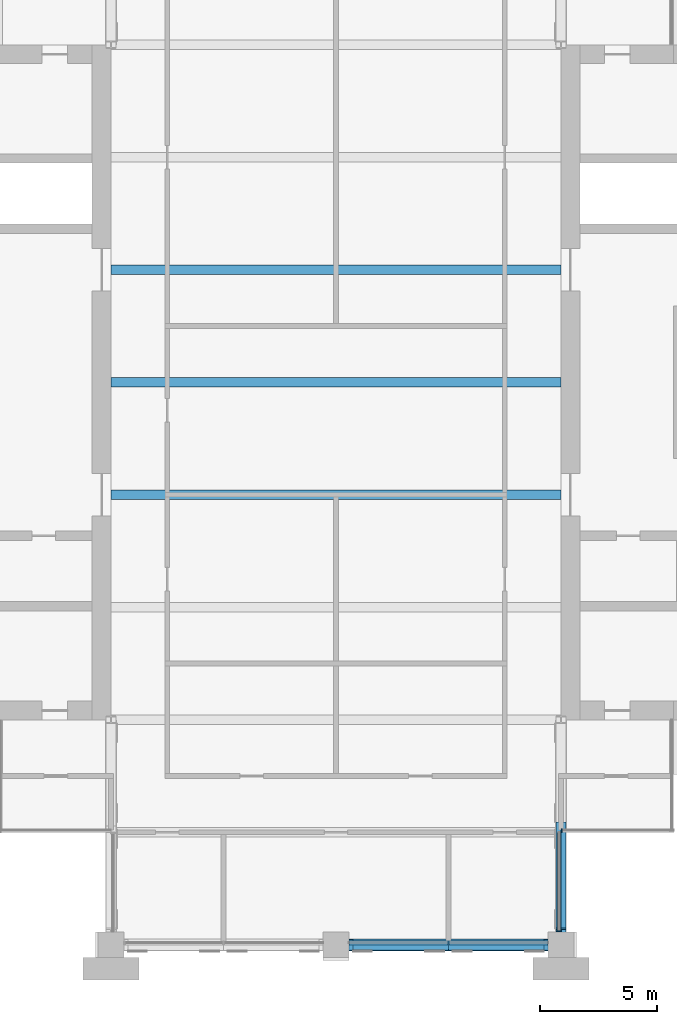
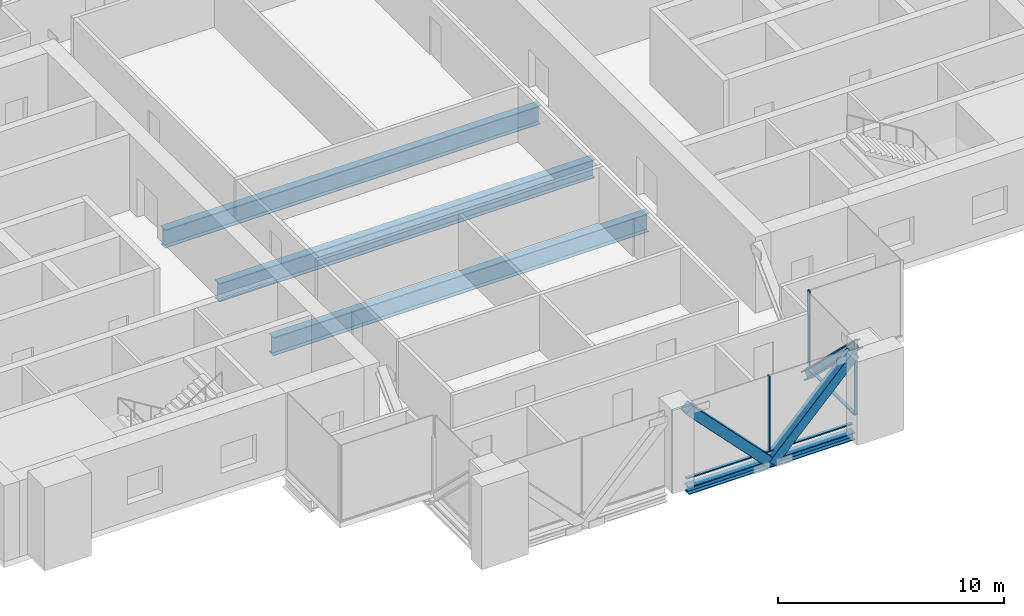
# One storey, part 3 of 13: 8 members, 4 beams, 3 elements without a shape of their own.
"""IFC4 building model written with IfcOpenShell, lengths in metres."""

from ifc_helpers import new_model, si_unit, direction, frame, origin, origin_2d, place, context, subcontext, project, spatial, rectangle, hollow_rectangle, i_section, extrude, material, material_profile, profile_set, type_object, element, aggregate, save


model = new_model("IFC4")

# Units and contexts
model_context = context("Model", 3, precision=1e-05, world=origin(), true_north=direction((0.0, 1.0)))
body_context = subcontext(model_context, "Body", "Model", "MODEL_VIEW")
ifc_project = project(units=[si_unit("LENGTHUNIT", "METRE"), si_unit("AREAUNIT", "SQUARE_METRE"), si_unit("VOLUMEUNIT", "CUBIC_METRE"), si_unit("PLANEANGLEUNIT", "RADIAN"), si_unit("MASSUNIT", "GRAM", prefix="KILO")], contexts=[model_context])

# Site, building, storey
site_placement = place(None, origin())
site = spatial("IfcSite", under=ifc_project, at=site_placement, CompositionType="ELEMENT")
building_placement = place(site_placement, origin())
building = spatial("IfcBuilding", under=site, at=building_placement, Name="Baori Bourse Tower", CompositionType="ELEMENT")
storey_placement = place(building_placement, frame((0.0, 0.0, 265.199951171875)))
storey = spatial("IfcBuildingStorey", under=building, at=storey_placement, Name="L59", CompositionType="ELEMENT", Elevation=265.199951171875)

# Beam
ifc_material_1 = material(Name="Steel A913 Gr 65", Category="steel")
ifc_material_profile_1 = material_profile(ifc_material_1, i_section(OverallWidth=0.4013671875, OverallDepth=0.398681640625, WebThickness=0.02490234375, FlangeThickness=0.03955078125, at=origin_2d()), Name="W14x211")
ifc_profile_set_1 = profile_set([ifc_material_profile_1], Name="Steel A913 Gr 65")
beam_type_1 = type_object("IfcBeamType", Name="Belt truss chord W14x211", PredefinedType="BEAM", material=ifc_profile_set_1)
beam_placement = place(storey_placement, frame((29.35009765625, 0.0, -0.499267578125), z_axis=(1.0, 0.0, 0.0), x_axis=(0.0, 1.0, 0.0)))
element("IfcBeam", 1, at=beam_placement, inside=storey, type_object=beam_type_1, Name="Belt truss chord L59", PredefinedType="BEAM", context=body_context, shape_type="SweptSolid", body=[
    extrude(i_section(OverallWidth=0.4013671875, OverallDepth=0.398681640625, WebThickness=0.02490234375, FlangeThickness=0.03955078125, at=origin_2d()), origin(), (0.0, 0.0, 1.0), 8.5),
])

# Members
ifc_material_2 = material(Name="Steel A500 Gr C", Category="steel")
ifc_material_profile_2 = material_profile(ifc_material_2, hollow_rectangle(XDim=0.508056640625, YDim=0.508056640625, WallThickness=0.0146484375, InnerFilletRadius=0.00732421875, OuterFilletRadius=0.022216796875, at=origin_2d()), Name="HSS20x20x5/8")
ifc_profile_set_2 = profile_set([ifc_material_profile_2], Name="Steel A500 Gr C")
member_type_1 = type_object("IfcMemberType", Name="Belt truss diagonal HSS20x20x5/8", PredefinedType="BRACE", material=ifc_profile_set_2)
for number, where, z_axis, x_axis, name in (
    (2, (29.35009765625, 0.0, 3.900634765625), (0.694748340564, 0.0, -0.719252906344), (0.0, 1.0, 0.0), "Belt truss diagonal L59"),
    (3, (33.60009765625, 0.0, -0.499267578125), (0.694748340564, 0.0, 0.719252906344), (0.0, 1.0, 0.0), "Belt truss diagonal L59"),
):
    element("IfcMember", number, at=place(storey_placement, frame(where, z_axis=z_axis, x_axis=x_axis)), inside=storey, type_object=member_type_1, Name=name, PredefinedType="BRACE", context=body_context, shape_type="SweptSolid", body=[
        extrude(hollow_rectangle(XDim=0.508056640625, YDim=0.508056640625, WallThickness=0.0146484375, InnerFilletRadius=0.00732421875, OuterFilletRadius=0.022216796875, at=origin_2d()), origin(), (0.0, 0.0, 1.0), 6.117431640625),
    ])

# Curtain wall, member
ifc_material_3 = material(Name="Pale anodised aluminium", Category="aluminium")
curtain_wall_type = type_object("IfcCurtainWallType", Name="CW3 Curtain wall", PredefinedType="NOTDEFINED", material=ifc_material_3)
curtain_wall_1_placement = place(storey_placement, origin())
curtain_wall_1 = element("IfcCurtainWall", 4, at=curtain_wall_1_placement, inside=storey, type_object=curtain_wall_type, Name="Curtain wall CW3 L59 11", PredefinedType="NOTDEFINED")
ifc_material_4 = material(Name="Pale anodised aluminium", Category="aluminium")
ifc_material_profile_3 = material_profile(ifc_material_4, rectangle(XDim=0.159912109375, YDim=0.050048828125, at=origin_2d()), Name="Mullion 50x160")
ifc_profile_set_3 = profile_set([ifc_material_profile_3], Name="Pale anodised aluminium")
member_type_2 = type_object("IfcMemberType", Name="CW3 Curtain wall mullion", PredefinedType="MULLION", material=ifc_profile_set_3)
member_1_placement = place(storey_placement, frame((33.60009765625, 0.080078125, 0.06005859375), z_axis=(0.0, 0.0, 1.0), x_axis=(0.0, 1.0, 0.0)))
member_1 = element("IfcMember", 5, at=member_1_placement, type_object=member_type_2, Name="Curtain wall CW3 mullion", PredefinedType="MULLION", context=body_context, shape_type="SweptSolid", body=[
    extrude(rectangle(XDim=0.159912109375, YDim=0.050048828125, at=origin_2d()), origin(), (0.0, 0.0, 1.0), 4.0400390625),
])

curtain_wall_2_placement = place(storey_placement, origin())
curtain_wall_2 = element("IfcCurtainWall", 6, at=curtain_wall_2_placement, inside=storey, type_object=curtain_wall_type, Name="Curtain wall CW3 L59 12", PredefinedType="NOTDEFINED")
member_2_placement = place(storey_placement, frame((38.320068359375, 0.574951171875, 0.06005859375), z_axis=(0.0, 0.0, 1.0), x_axis=(-1.0, 0.0, 0.0)))
member_2 = element("IfcMember", 7, at=member_2_placement, type_object=member_type_2, Name="Curtain wall CW3 mullion", PredefinedType="MULLION", context=body_context, shape_type="SweptSolid", body=[
    extrude(rectangle(XDim=0.159912109375, YDim=0.050048828125, at=origin_2d()), origin(), (0.0, 0.0, 1.0), 4.0400390625),
])

curtain_wall_3_placement = place(storey_placement, origin())
curtain_wall_3 = element("IfcCurtainWall", 8, at=curtain_wall_3_placement, inside=storey, type_object=curtain_wall_type, Name="Curtain wall CW3 L59 13", PredefinedType="NOTDEFINED")
member_3_placement = place(storey_placement, frame((38.425048828125, 4.8798828125, 0.06005859375), z_axis=(0.0, 0.0, 1.0), x_axis=(0.0, 1.0, 0.0)))
member_3 = element("IfcMember", 9, at=member_3_placement, type_object=member_type_2, Name="Curtain wall CW3 mullion", PredefinedType="MULLION", context=body_context, shape_type="SweptSolid", body=[
    extrude(rectangle(XDim=0.159912109375, YDim=0.050048828125, at=origin_2d()), origin(), (0.0, 0.0, 1.0), 4.0400390625),
])
aggregate(curtain_wall_3, [member_3])

# Member
ifc_material_5 = material(Name="Pale anodised aluminium", Category="aluminium")
ifc_material_profile_4 = material_profile(ifc_material_5, rectangle(XDim=0.159912109375, YDim=0.06005859375, at=origin_2d()), Name="Transom 60x160")
ifc_profile_set_4 = profile_set([ifc_material_profile_4], Name="Pale anodised aluminium")
member_type_3 = type_object("IfcMemberType", Name="CW3 Curtain wall transom", PredefinedType="USERDEFINED", material=ifc_profile_set_4)
member_4_placement = place(storey_placement, frame((29.35009765625, 0.080078125, 0.030029296875), z_axis=(1.0, 0.0, 0.0), x_axis=(0.0, 1.0, 0.0)))
member_4 = element("IfcMember", 10, at=member_4_placement, type_object=member_type_3, Name="Curtain wall CW3 sill rail", ObjectType="TRANSOM", PredefinedType="USERDEFINED", context=body_context, shape_type="SweptSolid", body=[
    extrude(rectangle(XDim=0.159912109375, YDim=0.06005859375, at=origin_2d()), origin(), (0.0, 0.0, 1.0), 8.5),
])

aggregate(curtain_wall_1, [member_4, member_1])

member_5_placement = place(storey_placement, frame((38.320068359375, 0.550048828125, 0.030029296875), z_axis=(0.0, 1.0, 0.0), x_axis=(-1.0, 0.0, 0.0)))
member_5 = element("IfcMember", 11, at=member_5_placement, type_object=member_type_3, Name="Curtain wall CW3 sill rail", ObjectType="TRANSOM", PredefinedType="USERDEFINED", context=body_context, shape_type="SweptSolid", body=[
    extrude(rectangle(XDim=0.159912109375, YDim=0.06005859375, at=origin_2d()), origin(), (0.0, 0.0, 1.0), 4.25),
])

aggregate(curtain_wall_2, [member_5, member_2])

# Beams
ifc_material_6 = material(Name="Steel A992 Gr 50", Category="steel")
ifc_material_profile_5 = material_profile(ifc_material_6, i_section(OverallWidth=0.4013671875, OverallDepth=0.990478515625, WebThickness=0.0166015625, FlangeThickness=0.031005859375, at=origin_2d()), Name="W40x215")
ifc_profile_set_5 = profile_set([ifc_material_profile_5], Name="Steel A992 Gr 50")
beam_type_2 = type_object("IfcBeamType", Name="Floor beam W40x215", PredefinedType="BEAM", material=ifc_profile_set_5)
for number, where, z_axis, x_axis, name in (
    (12, (19.199951171875, 19.199951171875, -0.795166015625), (1.0, 0.0, 0.0), (0.0, 1.0, 0.0), "Floor beam L59"),
    (13, (19.199951171875, 24.0, -0.795166015625), (1.0, 0.0, 0.0), (0.0, 1.0, 0.0), "Floor beam L59"),
    (14, (19.199951171875, 28.800048828125, -0.795166015625), (1.0, 0.0, 0.0), (0.0, 1.0, 0.0), "Floor beam L59"),
):
    element("IfcBeam", number, at=place(storey_placement, frame(where, z_axis=z_axis, x_axis=x_axis)), inside=storey, type_object=beam_type_2, Name=name, PredefinedType="BEAM", context=body_context, shape_type="SweptSolid", body=[
        extrude(i_section(OverallWidth=0.4013671875, OverallDepth=0.990478515625, WebThickness=0.0166015625, FlangeThickness=0.031005859375, at=origin_2d()), origin(), (0.0, 0.0, 1.0), 19.199951171875),
    ])

# Member
ifc_material_7 = material(Name="Steel A913 Gr 65", Category="steel")
ifc_material_profile_6 = material_profile(ifc_material_7, i_section(OverallWidth=0.419189453125, OverallDepth=0.45458984375, WebThickness=0.042236328125, FlangeThickness=0.067626953125, at=origin_2d()), Name="W14x370")
ifc_profile_set_6 = profile_set([ifc_material_profile_6], Name="Steel A913 Gr 65")
member_type_4 = type_object("IfcMemberType", Name="Outrigger truss diagonal W14x370", PredefinedType="BRACE", material=ifc_profile_set_6)
member_6_placement = place(storey_placement, frame((38.39990234375, 0.550048828125, 3.815673828125), z_axis=(0.0, 0.716920804848, -0.697154616693), x_axis=(-1.0, 0.0, 0.0)))
element("IfcMember", 15, at=member_6_placement, inside=storey, type_object=member_type_4, Name="Outrigger truss diagonal L59", PredefinedType="BRACE", context=body_context, shape_type="SweptSolid", body=[
    extrude(i_section(OverallWidth=0.419189453125, OverallDepth=0.45458984375, WebThickness=0.042236328125, FlangeThickness=0.067626953125, at=origin_2d()), origin(), (0.0, 0.0, 1.0), 6.3115234375),
])

save(model, "model.ifc")
